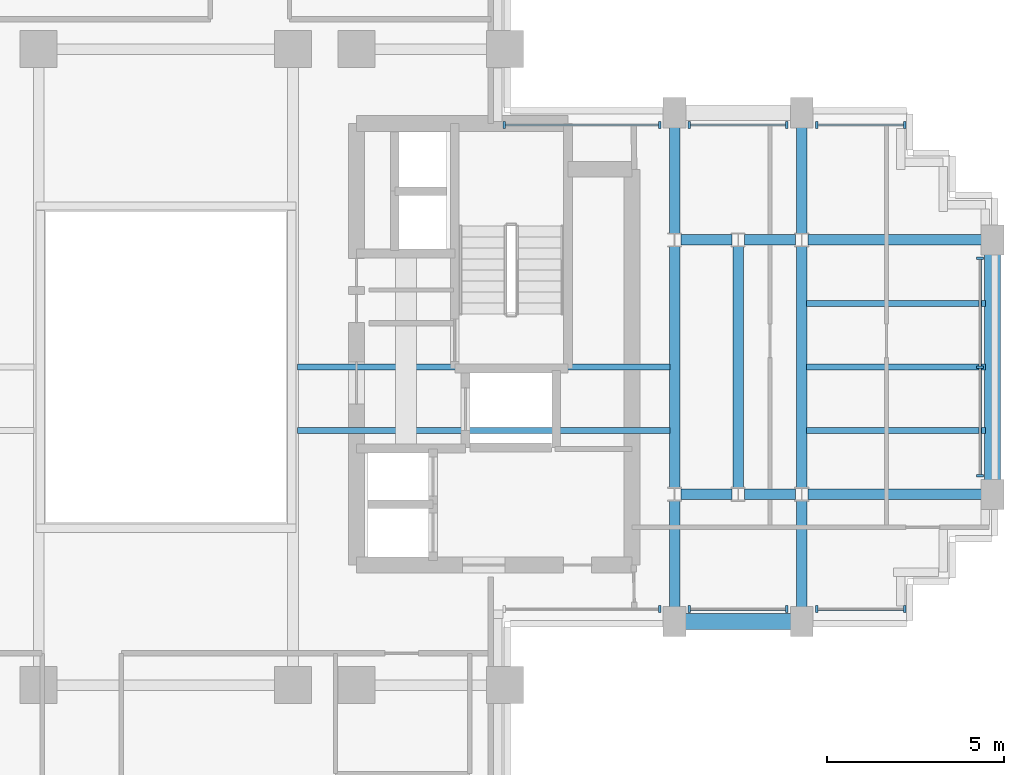
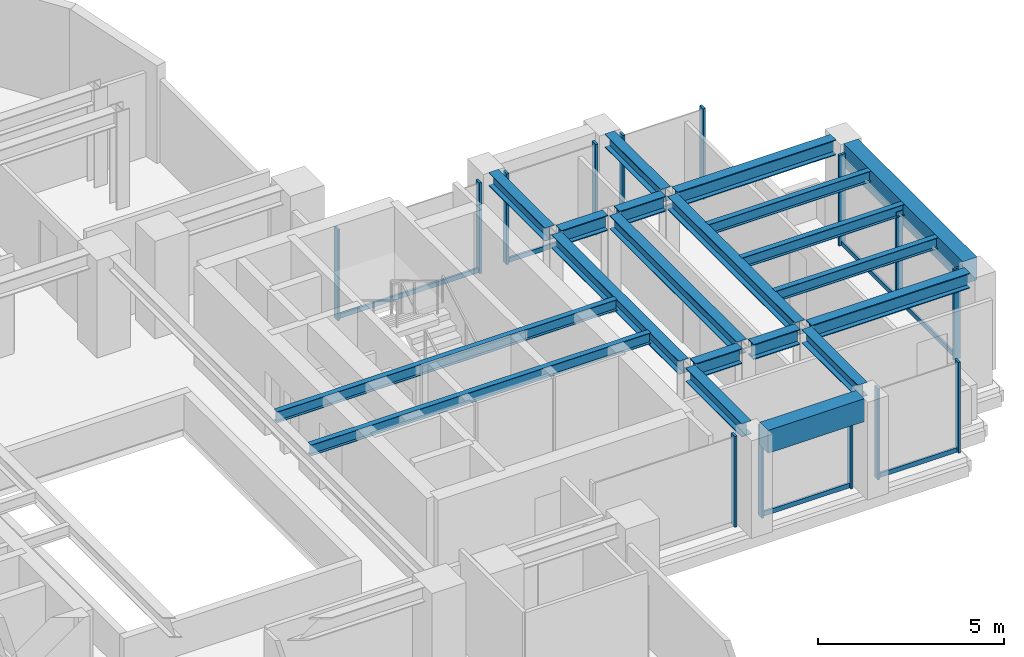
# One storey, part 5 of 14: 21 members, 20 beams, 7 elements without a shape of their own.
"""IFC4 building model written with IfcOpenShell, lengths in metres."""

from ifc_helpers import new_model, si_unit, direction, frame, origin, origin_2d, place, context, subcontext, project, spatial, rectangle, i_section, extrude, source, transform, mapped, material, material_profile, profile_set, type_object, element, aggregate, save


model = new_model("IFC4")

# Units and contexts
model_context = context("Model", 3, precision=1e-05, world=origin(), true_north=direction((0.0, 1.0)))
body_context = subcontext(model_context, "Body", "Model", "MODEL_VIEW")
ifc_project = project(units=[si_unit("LENGTHUNIT", "METRE"), si_unit("AREAUNIT", "SQUARE_METRE"), si_unit("VOLUMEUNIT", "CUBIC_METRE"), si_unit("PLANEANGLEUNIT", "RADIAN"), si_unit("MASSUNIT", "GRAM", prefix="KILO")], contexts=[model_context])

# Site, building, storey
site_placement = place(None, origin())
site = spatial("IfcSite", under=ifc_project, at=site_placement, CompositionType="ELEMENT")
building_placement = place(site_placement, origin())
building = spatial("IfcBuilding", under=site, at=building_placement, Name="Keilestroom Media Tower", CompositionType="ELEMENT")
storey_placement = place(building_placement, frame((0.0, 0.0, 124.39990234375)))
storey = spatial("IfcBuildingStorey", under=building, at=storey_placement, Name="L33", CompositionType="ELEMENT", Elevation=124.39990234375)

# Beams
ifc_material_1 = material(Name="Steel S355", Category="steel")
ifc_material_profile_1 = material_profile(ifc_material_1, i_section(OverallWidth=0.169921875, OverallDepth=0.360107421875, WebThickness=0.008056640625, FlangeThickness=0.0126953125, at=origin_2d()), Name="IPE 360")
ifc_profile_set_1 = profile_set([ifc_material_profile_1], Name="Steel S355")
beam_type_1 = type_object("IfcBeamType", Name="Secondary-Floor-Joist-IPE-360", PredefinedType="JOIST", material=ifc_profile_set_1)
shared_shape_1 = source(origin(), body_context, "Body", "SweptSolid", [
    extrude(i_section(OverallWidth=0.169921875, OverallDepth=0.360107421875, WebThickness=0.008056640625, FlangeThickness=0.0126953125, at=origin_2d()), origin(), (0.0, 0.0, 1.0), 10.5400390625),
])
for number, where, z_axis, x_axis, name in (
    (1, (3.72998046875, -1.800048828125, 3.02001953125), (1.0, 0.0, 0.0), (0.0, 1.0, 0.0), "L33 Beam BJ-5 JST-L33-074"),
    (2, (3.72998046875, 0.0, 3.02001953125), (1.0, 0.0, 0.0), (0.0, 1.0, 0.0), "L33 Beam BJ-5 JST-L33-079"),
):
    element("IfcBeam", number, at=place(storey_placement, frame(where, z_axis=z_axis, x_axis=x_axis)), inside=storey, type_object=beam_type_1, Name=name, PredefinedType="JOIST", context=body_context, shape_type="MappedRepresentation", body=[
        mapped(shared_shape_1, transform((0.0, 0.0, 0.0), x_axis=(1.0, 0.0, 0.0), y_axis=(0.0, 1.0, 0.0), z_axis=(0.0, 0.0, 1.0), scale=1.0)),
    ])
ifc_material_2 = material(Name="Precast concrete C40/50", Category="concrete")
ifc_material_profile_2 = material_profile(ifc_material_2, rectangle(XDim=0.449951171875, YDim=0.75, at=origin_2d()), Name="PC 450x750")
ifc_profile_set_2 = profile_set([ifc_material_profile_2], Name="Precast concrete C40/50")
beam_type_2 = type_object("IfcBeamType", Name="Perimeter-Spandrel-Beam-PC-450x750", PredefinedType="SPANDREL", material=ifc_profile_set_2)
shared_shape_2 = source(origin(), body_context, "Body", "SweptSolid", [
    extrude(rectangle(XDim=0.449951171875, YDim=0.75, at=origin_2d()), origin(), (0.0, 0.0, 1.0), 2.989990234375),
])
beam_1_placement = place(storey_placement, frame((14.705078125, -7.199951171875, 2.8251953125), z_axis=(1.0, 0.0, 0.0), x_axis=(0.0, 1.0, 0.0)))
element("IfcBeam", 3, at=beam_1_placement, inside=storey, type_object=beam_type_2, Name="L33 Beam SPB-1 BM-L33-EW-013", PredefinedType="SPANDREL", context=body_context, shape_type="MappedRepresentation", body=[
    mapped(shared_shape_2, transform((0.0, 0.0, 0.0), x_axis=(1.0, 0.0, 0.0), y_axis=(0.0, 1.0, 0.0), z_axis=(0.0, 0.0, 1.0), scale=1.0)),
])
ifc_material_profile_3 = material_profile(ifc_material_1, i_section(OverallWidth=0.300048828125, OverallDepth=0.5, WebThickness=0.012451171875, FlangeThickness=0.028076171875, at=origin_2d()), Name="HEB 500")
ifc_profile_set_3 = profile_set([ifc_material_profile_3], Name="Steel S355")
beam_type_3 = type_object("IfcBeamType", Name="Primary-Structural-Girder-HEB-500", PredefinedType="BEAM", material=ifc_profile_set_3)
shared_shape_3 = source(origin(), body_context, "Body", "SweptSolid", [
    extrude(i_section(OverallWidth=0.300048828125, OverallDepth=0.5, WebThickness=0.012451171875, FlangeThickness=0.028076171875, at=origin_2d()), origin(), (0.0, 0.0, 1.0), 4.91455078125),
])
for number, where, z_axis, x_axis, name in (
    (4, (18.180419921875, -3.60009765625, 2.9501953125), (1.0, 0.0, 0.0), (0.0, 1.0, 0.0), "L33 Beam BG-6 BM-L33-EW-019"),
    (5, (18.180419921875, 3.60009765625, 2.9501953125), (1.0, 0.0, 0.0), (0.0, 1.0, 0.0), "L33 Beam BG-6 BM-L33-EW-025"),
):
    element("IfcBeam", number, at=place(storey_placement, frame(where, z_axis=z_axis, x_axis=x_axis)), inside=storey, type_object=beam_type_3, Name=name, PredefinedType="BEAM", context=body_context, shape_type="MappedRepresentation", body=[
        mapped(shared_shape_3, transform((0.0, 0.0, 0.0), x_axis=(1.0, 0.0, 0.0), y_axis=(0.0, 1.0, 0.0), z_axis=(0.0, 0.0, 1.0), scale=1.0)),
    ])
shared_shape_4 = source(origin(), body_context, "Body", "SweptSolid", [
    extrude(i_section(OverallWidth=0.300048828125, OverallDepth=0.5, WebThickness=0.012451171875, FlangeThickness=0.028076171875, at=origin_2d()), origin(), (0.0, 0.0, 1.0), 1.43896484375),
])
for number, where, z_axis, x_axis, name in (
    (6, (14.58056640625, -3.60009765625, 2.9501953125), (1.0, 0.0, 0.0), (0.0, 1.0, 0.0), "L33 Beam BG-6 BM-L33-EW-017"),
    (7, (16.380615234375, -3.60009765625, 2.9501953125), (1.0, 0.0, 0.0), (0.0, 1.0, 0.0), "L33 Beam BG-6 BM-L33-EW-018"),
    (8, (14.58056640625, 3.60009765625, 2.9501953125), (1.0, 0.0, 0.0), (0.0, 1.0, 0.0), "L33 Beam BG-6 BM-L33-EW-023"),
    (9, (16.380615234375, 3.60009765625, 2.9501953125), (1.0, 0.0, 0.0), (0.0, 1.0, 0.0), "L33 Beam BG-6 BM-L33-EW-024"),
):
    element("IfcBeam", number, at=place(storey_placement, frame(where, z_axis=z_axis, x_axis=x_axis)), inside=storey, type_object=beam_type_3, Name=name, PredefinedType="BEAM", context=body_context, shape_type="MappedRepresentation", body=[
        mapped(shared_shape_4, transform((0.0, 0.0, 0.0), x_axis=(1.0, 0.0, 0.0), y_axis=(0.0, 1.0, 0.0), z_axis=(0.0, 0.0, 1.0), scale=1.0)),
    ])
shared_shape_5 = source(origin(), body_context, "Body", "SweptSolid", [
    extrude(rectangle(XDim=0.449951171875, YDim=0.75, at=origin_2d()), origin(), (0.0, 0.0, 1.0), 6.39013671875),
])
beam_2_placement = place(storey_placement, frame((23.39990234375, -3.195068359375, 2.8251953125), z_axis=(0.0, 1.0, 0.0), x_axis=(-1.0, 0.0, 0.0)))
element("IfcBeam", 10, at=beam_2_placement, inside=storey, type_object=beam_type_2, Name="L33 Beam SPB-1 BM-L33-NS-068", PredefinedType="SPANDREL", context=body_context, shape_type="MappedRepresentation", body=[
    mapped(shared_shape_5, transform((0.0, 0.0, 0.0), x_axis=(1.0, 0.0, 0.0), y_axis=(0.0, 1.0, 0.0), z_axis=(0.0, 0.0, 1.0), scale=1.0)),
])
shared_shape_6 = source(origin(), body_context, "Body", "SweptSolid", [
    extrude(i_section(OverallWidth=0.169921875, OverallDepth=0.360107421875, WebThickness=0.008056640625, FlangeThickness=0.0126953125, at=origin_2d()), origin(), (0.0, 0.0, 1.0), 5.065185546875),
])
for number, where, z_axis, x_axis, name in (
    (11, (18.1298828125, -1.800048828125, 3.02001953125), (1.0, 0.0, 0.0), (0.0, 1.0, 0.0), "L33 Beam BJ-5 JST-L33-075"),
    (12, (18.1298828125, 0.0, 3.02001953125), (1.0, 0.0, 0.0), (0.0, 1.0, 0.0), "L33 Beam BJ-5 JST-L33-080"),
    (13, (18.1298828125, 1.800048828125, 3.02001953125), (1.0, 0.0, 0.0), (0.0, 1.0, 0.0), "L33 Beam BJ-5 JST-L33-085"),
):
    element("IfcBeam", number, at=place(storey_placement, frame(where, z_axis=z_axis, x_axis=x_axis)), inside=storey, type_object=beam_type_1, Name=name, PredefinedType="JOIST", context=body_context, shape_type="MappedRepresentation", body=[
        mapped(shared_shape_6, transform((0.0, 0.0, 0.0), x_axis=(1.0, 0.0, 0.0), y_axis=(0.0, 1.0, 0.0), z_axis=(0.0, 0.0, 1.0), scale=1.0)),
    ])
ifc_material_profile_4 = material_profile(ifc_material_1, i_section(OverallWidth=0.300048828125, OverallDepth=0.43994140625, WebThickness=0.011474609375, FlangeThickness=0.02099609375, at=origin_2d()), Name="HEA 450")
ifc_profile_set_4 = profile_set([ifc_material_profile_4], Name="Steel S355")
beam_type_4 = type_object("IfcBeamType", Name="Primary-Structural-Girder-HEA-450", PredefinedType="BEAM", material=ifc_profile_set_4)
shared_shape_7 = source(origin(), body_context, "Body", "SweptSolid", [
    extrude(i_section(OverallWidth=0.300048828125, OverallDepth=0.43994140625, WebThickness=0.011474609375, FlangeThickness=0.02099609375, at=origin_2d()), origin(), (0.0, 0.0, 1.0), 3.015380859375),
])
for number, where, z_axis, x_axis, name in (
    (14, (14.39990234375, -6.794921875, 2.97998046875), (0.0, 1.0, 0.0), (-1.0, 0.0, 0.0), "L33 Beam BG-11 BM-L33-NS-061"),
    (15, (14.39990234375, 3.779541015625, 2.97998046875), (0.0, 1.0, 0.0), (-1.0, 0.0, 0.0), "L33 Beam BG-11 BM-L33-NS-063"),
    (16, (18.0, -6.794921875, 2.97998046875), (0.0, 1.0, 0.0), (-1.0, 0.0, 0.0), "L33 Beam BG-11 BM-L33-NS-065"),
    (17, (18.0, 3.779541015625, 2.97998046875), (0.0, 1.0, 0.0), (-1.0, 0.0, 0.0), "L33 Beam BG-11 BM-L33-NS-067"),
):
    element("IfcBeam", number, at=place(storey_placement, frame(where, z_axis=z_axis, x_axis=x_axis)), inside=storey, type_object=beam_type_4, Name=name, PredefinedType="BEAM", context=body_context, shape_type="MappedRepresentation", body=[
        mapped(shared_shape_7, transform((0.0, 0.0, 0.0), x_axis=(1.0, 0.0, 0.0), y_axis=(0.0, 1.0, 0.0), z_axis=(0.0, 0.0, 1.0), scale=1.0)),
    ])
shared_shape_8 = source(origin(), body_context, "Body", "SweptSolid", [
    extrude(i_section(OverallWidth=0.300048828125, OverallDepth=0.43994140625, WebThickness=0.011474609375, FlangeThickness=0.02099609375, at=origin_2d()), origin(), (0.0, 0.0, 1.0), 6.8408203125),
])
for number, where, z_axis, x_axis, name in (
    (18, (14.39990234375, -3.42041015625, 2.97998046875), (0.0, 1.0, 0.0), (-1.0, 0.0, 0.0), "L33 Beam BG-11 BM-L33-NS-062"),
    (19, (16.199951171875, -3.42041015625, 2.97998046875), (0.0, 1.0, 0.0), (-1.0, 0.0, 0.0), "L33 Beam BG-11 BM-L33-NS-064"),
    (20, (18.0, -3.42041015625, 2.97998046875), (0.0, 1.0, 0.0), (-1.0, 0.0, 0.0), "L33 Beam BG-11 BM-L33-NS-066"),
):
    element("IfcBeam", number, at=place(storey_placement, frame(where, z_axis=z_axis, x_axis=x_axis)), inside=storey, type_object=beam_type_4, Name=name, PredefinedType="BEAM", context=body_context, shape_type="MappedRepresentation", body=[
        mapped(shared_shape_8, transform((0.0, 0.0, 0.0), x_axis=(1.0, 0.0, 0.0), y_axis=(0.0, 1.0, 0.0), z_axis=(0.0, 0.0, 1.0), scale=1.0)),
    ])

# Curtain wall, members
ifc_material_3 = material(Name="Anodised Aluminium Alloy", Category="aluminium")
curtain_wall_type = type_object("IfcCurtainWallType", Name="Unitised-Curtain-Wall-CW-2", PredefinedType="NOTDEFINED", material=ifc_material_3)
curtain_wall_1_placement = place(storey_placement, origin())
curtain_wall_1 = element("IfcCurtainWall", 21, at=curtain_wall_1_placement, inside=storey, type_object=curtain_wall_type, Name="L33 Curtain Wall CW-2 CW-L33-E-1", PredefinedType="NOTDEFINED")
ifc_material_profile_5 = material_profile(ifc_material_3, rectangle(XDim=0.070068359375, YDim=0.199951171875, at=origin_2d()), Name="ALU MULLION 70x200")
ifc_profile_set_5 = profile_set([ifc_material_profile_5], Name="Anodised Aluminium Alloy")
member_type_1 = type_object("IfcMemberType", Name="Curtain-Wall-Mullion-CW-2", PredefinedType="MULLION", material=ifc_profile_set_5)
shared_shape_9 = source(origin(), body_context, "Body", "SweptSolid", [
    extrude(rectangle(XDim=0.070068359375, YDim=0.199951171875, at=origin_2d()), origin(), (0.0, 0.0, 1.0), 2.97998046875),
])
member_1_placement = place(storey_placement, frame((23.050048828125, -3.080078125, 0.0), z_axis=(0.0, 0.0, 1.0), x_axis=(0.0, 1.0, 0.0)))
member_1 = element("IfcMember", 22, at=member_1_placement, type_object=member_type_1, Name="CW-2 Mullion 00", PredefinedType="MULLION", context=body_context, shape_type="MappedRepresentation", body=[
    mapped(shared_shape_9, transform((0.0, 0.0, 0.0), x_axis=(1.0, 0.0, 0.0), y_axis=(0.0, 1.0, 0.0), z_axis=(0.0, 0.0, 1.0), scale=1.0)),
])
member_2_placement = place(storey_placement, frame((23.050048828125, 0.0, 0.0), z_axis=(0.0, 0.0, 1.0), x_axis=(0.0, 1.0, 0.0)))
member_2 = element("IfcMember", 23, at=member_2_placement, type_object=member_type_1, Name="CW-2 Mullion 01", PredefinedType="MULLION", context=body_context, shape_type="MappedRepresentation", body=[
    mapped(shared_shape_9, transform((0.0, 0.0, 0.0), x_axis=(1.0, 0.0, 0.0), y_axis=(0.0, 1.0, 0.0), z_axis=(0.0, 0.0, 1.0), scale=1.0)),
])
member_3_placement = place(storey_placement, frame((23.050048828125, 3.080078125, 0.0), z_axis=(0.0, 0.0, 1.0), x_axis=(0.0, 1.0, 0.0)))
member_3 = element("IfcMember", 24, at=member_3_placement, type_object=member_type_1, Name="CW-2 Mullion 02", PredefinedType="MULLION", context=body_context, shape_type="MappedRepresentation", body=[
    mapped(shared_shape_9, transform((0.0, 0.0, 0.0), x_axis=(1.0, 0.0, 0.0), y_axis=(0.0, 1.0, 0.0), z_axis=(0.0, 0.0, 1.0), scale=1.0)),
])

curtain_wall_2_placement = place(storey_placement, origin())
curtain_wall_2 = element("IfcCurtainWall", 25, at=curtain_wall_2_placement, inside=storey, type_object=curtain_wall_type, Name="L33 Curtain Wall CW-2 CW-L33-NE-1", PredefinedType="NOTDEFINED")
member_4_placement = place(storey_placement, frame((9.5849609375, 6.85009765625, 0.0), z_axis=(0.0, 0.0, 1.0), x_axis=(1.0, 0.0, 0.0)))
member_4 = element("IfcMember", 26, at=member_4_placement, type_object=member_type_1, Name="CW-2 Mullion 00", PredefinedType="MULLION", context=body_context, shape_type="MappedRepresentation", body=[
    mapped(shared_shape_9, transform((0.0, 0.0, 0.0), x_axis=(1.0, 0.0, 0.0), y_axis=(0.0, 1.0, 0.0), z_axis=(0.0, 0.0, 1.0), scale=1.0)),
])
member_5_placement = place(storey_placement, frame((13.97998046875, 6.85009765625, 0.0), z_axis=(0.0, 0.0, 1.0), x_axis=(1.0, 0.0, 0.0)))
member_5 = element("IfcMember", 27, at=member_5_placement, type_object=member_type_1, Name="CW-2 Mullion 01", PredefinedType="MULLION", context=body_context, shape_type="MappedRepresentation", body=[
    mapped(shared_shape_9, transform((0.0, 0.0, 0.0), x_axis=(1.0, 0.0, 0.0), y_axis=(0.0, 1.0, 0.0), z_axis=(0.0, 0.0, 1.0), scale=1.0)),
])

curtain_wall_3_placement = place(storey_placement, origin())
curtain_wall_3 = element("IfcCurtainWall", 28, at=curtain_wall_3_placement, inside=storey, type_object=curtain_wall_type, Name="L33 Curtain Wall CW-2 CW-L33-NE-2", PredefinedType="NOTDEFINED")
member_6_placement = place(storey_placement, frame((14.820068359375, 6.85009765625, 0.0), z_axis=(0.0, 0.0, 1.0), x_axis=(1.0, 0.0, 0.0)))
member_6 = element("IfcMember", 29, at=member_6_placement, type_object=member_type_1, Name="CW-2 Mullion 00", PredefinedType="MULLION", context=body_context, shape_type="MappedRepresentation", body=[
    mapped(shared_shape_9, transform((0.0, 0.0, 0.0), x_axis=(1.0, 0.0, 0.0), y_axis=(0.0, 1.0, 0.0), z_axis=(0.0, 0.0, 1.0), scale=1.0)),
])
member_7_placement = place(storey_placement, frame((17.580078125, 6.85009765625, 0.0), z_axis=(0.0, 0.0, 1.0), x_axis=(1.0, 0.0, 0.0)))
member_7 = element("IfcMember", 30, at=member_7_placement, type_object=member_type_1, Name="CW-2 Mullion 01", PredefinedType="MULLION", context=body_context, shape_type="MappedRepresentation", body=[
    mapped(shared_shape_9, transform((0.0, 0.0, 0.0), x_axis=(1.0, 0.0, 0.0), y_axis=(0.0, 1.0, 0.0), z_axis=(0.0, 0.0, 1.0), scale=1.0)),
])

curtain_wall_4_placement = place(storey_placement, origin())
curtain_wall_4 = element("IfcCurtainWall", 31, at=curtain_wall_4_placement, inside=storey, type_object=curtain_wall_type, Name="L33 Curtain Wall CW-2 CW-L33-NE-3", PredefinedType="NOTDEFINED")
member_8_placement = place(storey_placement, frame((18.419921875, 6.85009765625, 0.0), z_axis=(0.0, 0.0, 1.0), x_axis=(1.0, 0.0, 0.0)))
member_8 = element("IfcMember", 32, at=member_8_placement, type_object=member_type_1, Name="CW-2 Mullion 00", PredefinedType="MULLION", context=body_context, shape_type="MappedRepresentation", body=[
    mapped(shared_shape_9, transform((0.0, 0.0, 0.0), x_axis=(1.0, 0.0, 0.0), y_axis=(0.0, 1.0, 0.0), z_axis=(0.0, 0.0, 1.0), scale=1.0)),
])
member_9_placement = place(storey_placement, frame((20.9150390625, 6.85009765625, 0.0), z_axis=(0.0, 0.0, 1.0), x_axis=(1.0, 0.0, 0.0)))
member_9 = element("IfcMember", 33, at=member_9_placement, type_object=member_type_1, Name="CW-2 Mullion 01", PredefinedType="MULLION", context=body_context, shape_type="MappedRepresentation", body=[
    mapped(shared_shape_9, transform((0.0, 0.0, 0.0), x_axis=(1.0, 0.0, 0.0), y_axis=(0.0, 1.0, 0.0), z_axis=(0.0, 0.0, 1.0), scale=1.0)),
])

# Curtain wall, member
curtain_wall_5_placement = place(storey_placement, origin())
curtain_wall_5 = element("IfcCurtainWall", 34, at=curtain_wall_5_placement, inside=storey, type_object=curtain_wall_type, Name="L33 Curtain Wall CW-2 CW-L33-SE-1", PredefinedType="NOTDEFINED")
member_10_placement = place(storey_placement, frame((13.97998046875, -6.85009765625, 0.0), z_axis=(0.0, 0.0, 1.0), x_axis=(1.0, 0.0, 0.0)))
member_10 = element("IfcMember", 35, at=member_10_placement, type_object=member_type_1, Name="CW-2 Mullion 01", PredefinedType="MULLION", context=body_context, shape_type="MappedRepresentation", body=[
    mapped(shared_shape_9, transform((0.0, 0.0, 0.0), x_axis=(1.0, 0.0, 0.0), y_axis=(0.0, 1.0, 0.0), z_axis=(0.0, 0.0, 1.0), scale=1.0)),
])
aggregate(curtain_wall_5, [member_10])

# Curtain wall, members
curtain_wall_6_placement = place(storey_placement, origin())
curtain_wall_6 = element("IfcCurtainWall", 36, at=curtain_wall_6_placement, inside=storey, type_object=curtain_wall_type, Name="L33 Curtain Wall CW-2 CW-L33-SE-2", PredefinedType="NOTDEFINED")
member_11_placement = place(storey_placement, frame((14.820068359375, -6.85009765625, 0.0), z_axis=(0.0, 0.0, 1.0), x_axis=(1.0, 0.0, 0.0)))
member_11 = element("IfcMember", 37, at=member_11_placement, type_object=member_type_1, Name="CW-2 Mullion 00", PredefinedType="MULLION", context=body_context, shape_type="MappedRepresentation", body=[
    mapped(shared_shape_9, transform((0.0, 0.0, 0.0), x_axis=(1.0, 0.0, 0.0), y_axis=(0.0, 1.0, 0.0), z_axis=(0.0, 0.0, 1.0), scale=1.0)),
])
member_12_placement = place(storey_placement, frame((17.580078125, -6.85009765625, 0.0), z_axis=(0.0, 0.0, 1.0), x_axis=(1.0, 0.0, 0.0)))
member_12 = element("IfcMember", 38, at=member_12_placement, type_object=member_type_1, Name="CW-2 Mullion 01", PredefinedType="MULLION", context=body_context, shape_type="MappedRepresentation", body=[
    mapped(shared_shape_9, transform((0.0, 0.0, 0.0), x_axis=(1.0, 0.0, 0.0), y_axis=(0.0, 1.0, 0.0), z_axis=(0.0, 0.0, 1.0), scale=1.0)),
])

curtain_wall_7_placement = place(storey_placement, origin())
curtain_wall_7 = element("IfcCurtainWall", 39, at=curtain_wall_7_placement, inside=storey, type_object=curtain_wall_type, Name="L33 Curtain Wall CW-2 CW-L33-SE-3", PredefinedType="NOTDEFINED")
member_13_placement = place(storey_placement, frame((18.419921875, -6.85009765625, 0.0), z_axis=(0.0, 0.0, 1.0), x_axis=(1.0, 0.0, 0.0)))
member_13 = element("IfcMember", 40, at=member_13_placement, type_object=member_type_1, Name="CW-2 Mullion 00", PredefinedType="MULLION", context=body_context, shape_type="MappedRepresentation", body=[
    mapped(shared_shape_9, transform((0.0, 0.0, 0.0), x_axis=(1.0, 0.0, 0.0), y_axis=(0.0, 1.0, 0.0), z_axis=(0.0, 0.0, 1.0), scale=1.0)),
])
member_14_placement = place(storey_placement, frame((20.9150390625, -6.85009765625, 0.0), z_axis=(0.0, 0.0, 1.0), x_axis=(1.0, 0.0, 0.0)))
member_14 = element("IfcMember", 41, at=member_14_placement, type_object=member_type_1, Name="CW-2 Mullion 01", PredefinedType="MULLION", context=body_context, shape_type="MappedRepresentation", body=[
    mapped(shared_shape_9, transform((0.0, 0.0, 0.0), x_axis=(1.0, 0.0, 0.0), y_axis=(0.0, 1.0, 0.0), z_axis=(0.0, 0.0, 1.0), scale=1.0)),
])

# Member
ifc_material_profile_6 = material_profile(ifc_material_3, rectangle(XDim=0.06494140625, YDim=0.14990234375, at=origin_2d()), Name="ALU TRANSOM 65x150")
ifc_profile_set_6 = profile_set([ifc_material_profile_6], Name="Anodised Aluminium Alloy")
member_type_2 = type_object("IfcMemberType", Name="Curtain-Wall-Transom-CW-2", PredefinedType="USERDEFINED", material=ifc_profile_set_6)
shared_shape_10 = source(origin(), body_context, "Body", "SweptSolid", [
    extrude(rectangle(XDim=0.06494140625, YDim=0.14990234375, at=origin_2d()), origin(), (0.0, 0.0, 1.0), 2.42919921875),
])
member_15_placement = place(storey_placement, frame((18.452880859375, 6.85009765625, 0.0751953125), z_axis=(1.0, 0.0, 0.0), x_axis=(0.0, 1.0, 0.0)))
member_15 = element("IfcMember", 42, at=member_15_placement, type_object=member_type_2, Name="CW-2 Transom 00.1", ObjectType="TRANSOM", PredefinedType="USERDEFINED", context=body_context, shape_type="MappedRepresentation", body=[
    mapped(shared_shape_10, transform((0.0, 0.0, 0.0), x_axis=(1.0, 0.0, 0.0), y_axis=(0.0, 1.0, 0.0), z_axis=(0.0, 0.0, 1.0), scale=1.0)),
])

aggregate(curtain_wall_4, [member_8, member_9, member_15])

member_16_placement = place(storey_placement, frame((18.452880859375, -6.85009765625, 0.0751953125), z_axis=(1.0, 0.0, 0.0), x_axis=(0.0, 1.0, 0.0)))
member_16 = element("IfcMember", 43, at=member_16_placement, type_object=member_type_2, Name="CW-2 Transom 00.1", ObjectType="TRANSOM", PredefinedType="USERDEFINED", context=body_context, shape_type="MappedRepresentation", body=[
    mapped(shared_shape_10, transform((0.0, 0.0, 0.0), x_axis=(1.0, 0.0, 0.0), y_axis=(0.0, 1.0, 0.0), z_axis=(0.0, 0.0, 1.0), scale=1.0)),
])

aggregate(curtain_wall_7, [member_13, member_14, member_16])

shared_shape_11 = source(origin(), body_context, "Body", "SweptSolid", [
    extrude(rectangle(XDim=0.06494140625, YDim=0.14990234375, at=origin_2d()), origin(), (0.0, 0.0, 1.0), 2.694091796875),
])
member_17_placement = place(storey_placement, frame((14.85302734375, 6.85009765625, 0.0751953125), z_axis=(1.0, 0.0, 0.0), x_axis=(0.0, 1.0, 0.0)))
member_17 = element("IfcMember", 44, at=member_17_placement, type_object=member_type_2, Name="CW-2 Transom 00.1", ObjectType="TRANSOM", PredefinedType="USERDEFINED", context=body_context, shape_type="MappedRepresentation", body=[
    mapped(shared_shape_11, transform((0.0, 0.0, 0.0), x_axis=(1.0, 0.0, 0.0), y_axis=(0.0, 1.0, 0.0), z_axis=(0.0, 0.0, 1.0), scale=1.0)),
])

aggregate(curtain_wall_3, [member_6, member_7, member_17])

member_18_placement = place(storey_placement, frame((14.85302734375, -6.85009765625, 0.0751953125), z_axis=(1.0, 0.0, 0.0), x_axis=(0.0, 1.0, 0.0)))
member_18 = element("IfcMember", 45, at=member_18_placement, type_object=member_type_2, Name="CW-2 Transom 00.1", ObjectType="TRANSOM", PredefinedType="USERDEFINED", context=body_context, shape_type="MappedRepresentation", body=[
    mapped(shared_shape_11, transform((0.0, 0.0, 0.0), x_axis=(1.0, 0.0, 0.0), y_axis=(0.0, 1.0, 0.0), z_axis=(0.0, 0.0, 1.0), scale=1.0)),
])

aggregate(curtain_wall_6, [member_11, member_12, member_18])

shared_shape_12 = source(origin(), body_context, "Body", "SweptSolid", [
    extrude(rectangle(XDim=0.06494140625, YDim=0.14990234375, at=origin_2d()), origin(), (0.0, 0.0, 1.0), 4.3291015625),
])
member_19_placement = place(storey_placement, frame((9.617919921875, 6.85009765625, 0.0751953125), z_axis=(1.0, 0.0, 0.0), x_axis=(0.0, 1.0, 0.0)))
member_19 = element("IfcMember", 46, at=member_19_placement, type_object=member_type_2, Name="CW-2 Transom 00.1", ObjectType="TRANSOM", PredefinedType="USERDEFINED", context=body_context, shape_type="MappedRepresentation", body=[
    mapped(shared_shape_12, transform((0.0, 0.0, 0.0), x_axis=(1.0, 0.0, 0.0), y_axis=(0.0, 1.0, 0.0), z_axis=(0.0, 0.0, 1.0), scale=1.0)),
])

aggregate(curtain_wall_2, [member_4, member_5, member_19])

shared_shape_13 = source(origin(), body_context, "Body", "SweptSolid", [
    extrude(rectangle(XDim=0.06494140625, YDim=0.14990234375, at=origin_2d()), origin(), (0.0, 0.0, 1.0), 3.01416015625),
])
member_20_placement = place(storey_placement, frame((23.050048828125, -3.047119140625, 0.0751953125), z_axis=(0.0, 1.0, 0.0), x_axis=(-1.0, 0.0, 0.0)))
member_20 = element("IfcMember", 47, at=member_20_placement, type_object=member_type_2, Name="CW-2 Transom 00.1", ObjectType="TRANSOM", PredefinedType="USERDEFINED", context=body_context, shape_type="MappedRepresentation", body=[
    mapped(shared_shape_13, transform((0.0, 0.0, 0.0), x_axis=(1.0, 0.0, 0.0), y_axis=(0.0, 1.0, 0.0), z_axis=(0.0, 0.0, 1.0), scale=1.0)),
])

member_21_placement = place(storey_placement, frame((23.050048828125, 0.032958984375, 0.0751953125), z_axis=(0.0, 1.0, 0.0), x_axis=(-1.0, 0.0, 0.0)))
member_21 = element("IfcMember", 48, at=member_21_placement, type_object=member_type_2, Name="CW-2 Transom 01.1", ObjectType="TRANSOM", PredefinedType="USERDEFINED", context=body_context, shape_type="MappedRepresentation", body=[
    mapped(shared_shape_13, transform((0.0, 0.0, 0.0), x_axis=(1.0, 0.0, 0.0), y_axis=(0.0, 1.0, 0.0), z_axis=(0.0, 0.0, 1.0), scale=1.0)),
])

aggregate(curtain_wall_1, [member_1, member_2, member_3, member_20, member_21])

save(model, "model.ifc")
